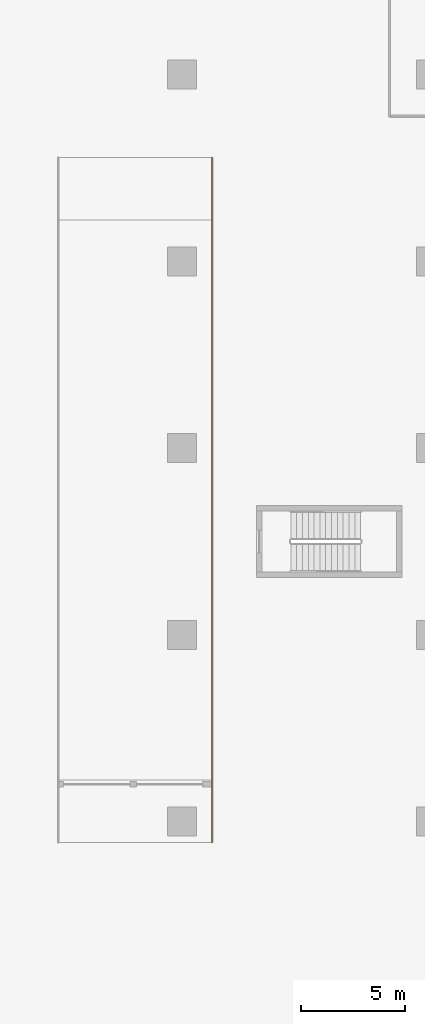
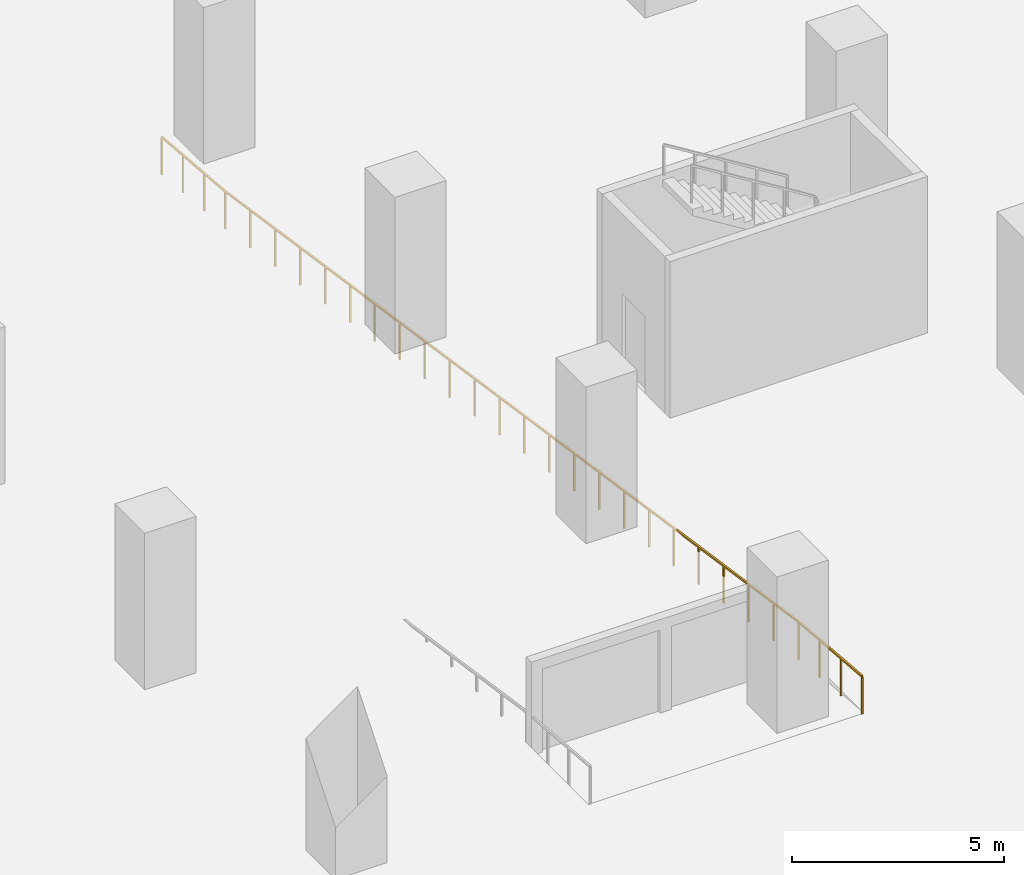
# One storey, part 10 of 10: 1 railing.
"""IFC4 building model written with IfcOpenShell, lengths in metres."""

from ifc_helpers import new_model, si_unit, direction, frame, origin, origin_2d, place, context, subcontext, project, spatial, rectangle, extrude, material, type_object, element, save


model = new_model("IFC4")

# Units and contexts
model_context = context("Model", 3, precision=1e-05, world=origin(), true_north=direction((0.0, 1.0)))
body_context = subcontext(model_context, "Body", "Model", "MODEL_VIEW")
ifc_project = project(units=[si_unit("LENGTHUNIT", "METRE"), si_unit("AREAUNIT", "SQUARE_METRE"), si_unit("VOLUMEUNIT", "CUBIC_METRE"), si_unit("PLANEANGLEUNIT", "RADIAN"), si_unit("MASSUNIT", "GRAM", prefix="KILO")], contexts=[model_context])

# Site, building, storey
site_placement = place(None, origin())
site = spatial("IfcSite", under=ifc_project, at=site_placement, CompositionType="ELEMENT")
building_placement = place(site_placement, origin())
building = spatial("IfcBuilding", under=site, at=building_placement, Name="Chenar Terraces", CompositionType="ELEMENT")
storey_placement = place(building_placement, frame((0.0, 0.0, -9.0)))
storey = spatial("IfcBuildingStorey", under=building, at=storey_placement, Name="B2", CompositionType="ELEMENT", Elevation=-9.0)

# Railing
ifc_material = material(Name="Powder-coated steel", Category="steel")
railing_type = type_object("IfcRailingType", Name="Ramp guard 1100", PredefinedType="GUARDRAIL", material=ifc_material)
railing_placement = place(storey_placement, frame((13.449951171875, 35.0, 0.0)))
element("IfcRailing", 1, at=railing_placement, inside=storey, type_object=railing_type, Name="R3 ramp guard east", PredefinedType="GUARDRAIL", context=body_context, shape_type="SweptSolid", body=[
    extrude(rectangle(XDim=0.048095703125, YDim=0.048095703125, at=origin_2d()), frame((0.0, 0.0, 1.076171875), z_axis=(0.0, 0.996545758245, -0.083045479854), x_axis=(-1.0, 0.0, 0.0)), (0.0, 0.0, 1.0), 3.010498046875),
    extrude(rectangle(XDim=0.048095703125, YDim=0.048095703125, at=origin_2d()), frame((0.0, 3.0, 0.826171875), z_axis=(0.0, 0.989203462354, -0.146548661089), x_axis=(-1.0, 0.0, 0.0)), (0.0, 0.0, 1.0), 27.294677734375),
    extrude(rectangle(XDim=0.048095703125, YDim=0.048095703125, at=origin_2d()), frame((0.0, 30.0, -3.173828125), z_axis=(0.0, 0.996545758245, -0.083045479854), x_axis=(-1.0, 0.0, 0.0)), (0.0, 0.0, 1.0), 3.010498046875),
    extrude(rectangle(XDim=0.0419921875, YDim=0.0419921875, at=origin_2d()), origin(), (0.0, 0.0, 1.0), 1.052001953125),
    extrude(rectangle(XDim=0.0419921875, YDim=0.0419921875, at=origin_2d()), frame((0.0, 1.0, -0.083251953125)), (0.0, 0.0, 1.0), 1.052001953125),
    extrude(rectangle(XDim=0.0419921875, YDim=0.0419921875, at=origin_2d()), frame((0.0, 2.0, -0.166748046875)), (0.0, 0.0, 1.0), 1.052001953125),
    extrude(rectangle(XDim=0.0419921875, YDim=0.0419921875, at=origin_2d()), frame((0.0, 3.0, -0.25)), (0.0, 0.0, 1.0), 1.052001953125),
    extrude(rectangle(XDim=0.0419921875, YDim=0.0419921875, at=origin_2d()), frame((0.0, 4.173828125, -0.423828125)), (0.0, 0.0, 1.0), 1.052001953125),
    extrude(rectangle(XDim=0.0419921875, YDim=0.0419921875, at=origin_2d()), frame((0.0, 5.347900390625, -0.597900390625)), (0.0, 0.0, 1.0), 1.052001953125),
    extrude(rectangle(XDim=0.0419921875, YDim=0.0419921875, at=origin_2d()), frame((0.0, 6.521728515625, -0.771728515625)), (0.0, 0.0, 1.0), 1.052001953125),
    extrude(rectangle(XDim=0.0419921875, YDim=0.0419921875, at=origin_2d()), frame((0.0, 7.695556640625, -0.945556640625)), (0.0, 0.0, 1.0), 1.052001953125),
    extrude(rectangle(XDim=0.0419921875, YDim=0.0419921875, at=origin_2d()), frame((0.0, 8.86962890625, -1.11962890625)), (0.0, 0.0, 1.0), 1.052001953125),
    extrude(rectangle(XDim=0.0419921875, YDim=0.0419921875, at=origin_2d()), frame((0.0, 10.04345703125, -1.29345703125)), (0.0, 0.0, 1.0), 1.052001953125),
    extrude(rectangle(XDim=0.0419921875, YDim=0.0419921875, at=origin_2d()), frame((0.0, 11.21728515625, -1.46728515625)), (0.0, 0.0, 1.0), 1.052001953125),
    extrude(rectangle(XDim=0.0419921875, YDim=0.0419921875, at=origin_2d()), frame((0.0, 12.391357421875, -1.641357421875)), (0.0, 0.0, 1.0), 1.052001953125),
    extrude(rectangle(XDim=0.0419921875, YDim=0.0419921875, at=origin_2d()), frame((0.0, 13.565185546875, -1.815185546875)), (0.0, 0.0, 1.0), 1.052001953125),
    extrude(rectangle(XDim=0.0419921875, YDim=0.0419921875, at=origin_2d()), frame((0.0, 14.739013671875, -1.989013671875)), (0.0, 0.0, 1.0), 1.052001953125),
    extrude(rectangle(XDim=0.0419921875, YDim=0.0419921875, at=origin_2d()), frame((0.0, 15.9130859375, -2.1630859375)), (0.0, 0.0, 1.0), 1.052001953125),
    extrude(rectangle(XDim=0.0419921875, YDim=0.0419921875, at=origin_2d()), frame((0.0, 17.0869140625, -2.3369140625)), (0.0, 0.0, 1.0), 1.052001953125),
    extrude(rectangle(XDim=0.0419921875, YDim=0.0419921875, at=origin_2d()), frame((0.0, 18.260986328125, -2.510986328125)), (0.0, 0.0, 1.0), 1.052001953125),
    extrude(rectangle(XDim=0.0419921875, YDim=0.0419921875, at=origin_2d()), frame((0.0, 19.434814453125, -2.684814453125)), (0.0, 0.0, 1.0), 1.052001953125),
    extrude(rectangle(XDim=0.0419921875, YDim=0.0419921875, at=origin_2d()), frame((0.0, 20.608642578125, -2.858642578125)), (0.0, 0.0, 1.0), 1.052001953125),
    extrude(rectangle(XDim=0.0419921875, YDim=0.0419921875, at=origin_2d()), frame((0.0, 21.78271484375, -3.03271484375)), (0.0, 0.0, 1.0), 1.052001953125),
    extrude(rectangle(XDim=0.0419921875, YDim=0.0419921875, at=origin_2d()), frame((0.0, 22.95654296875, -3.20654296875)), (0.0, 0.0, 1.0), 1.052001953125),
    extrude(rectangle(XDim=0.0419921875, YDim=0.0419921875, at=origin_2d()), frame((0.0, 24.13037109375, -3.38037109375)), (0.0, 0.0, 1.0), 1.052001953125),
    extrude(rectangle(XDim=0.0419921875, YDim=0.0419921875, at=origin_2d()), frame((0.0, 25.304443359375, -3.554443359375)), (0.0, 0.0, 1.0), 1.052001953125),
    extrude(rectangle(XDim=0.0419921875, YDim=0.0419921875, at=origin_2d()), frame((0.0, 26.478271484375, -3.728271484375)), (0.0, 0.0, 1.0), 1.052001953125),
    extrude(rectangle(XDim=0.0419921875, YDim=0.0419921875, at=origin_2d()), frame((0.0, 27.652099609375, -3.902099609375)), (0.0, 0.0, 1.0), 1.052001953125),
    extrude(rectangle(XDim=0.0419921875, YDim=0.0419921875, at=origin_2d()), frame((0.0, 28.826171875, -4.076171875)), (0.0, 0.0, 1.0), 1.052001953125),
    extrude(rectangle(XDim=0.0419921875, YDim=0.0419921875, at=origin_2d()), frame((0.0, 30.0, -4.25)), (0.0, 0.0, 1.0), 1.052001953125),
    extrude(rectangle(XDim=0.0419921875, YDim=0.0419921875, at=origin_2d()), frame((0.0, 31.0, -4.333251953125)), (0.0, 0.0, 1.0), 1.052001953125),
    extrude(rectangle(XDim=0.0419921875, YDim=0.0419921875, at=origin_2d()), frame((0.0, 32.0, -4.416748046875)), (0.0, 0.0, 1.0), 1.052001953125),
    extrude(rectangle(XDim=0.0419921875, YDim=0.0419921875, at=origin_2d()), frame((0.0, 33.0, -4.5)), (0.0, 0.0, 1.0), 1.052001953125),
])

save(model, "model.ifc")
